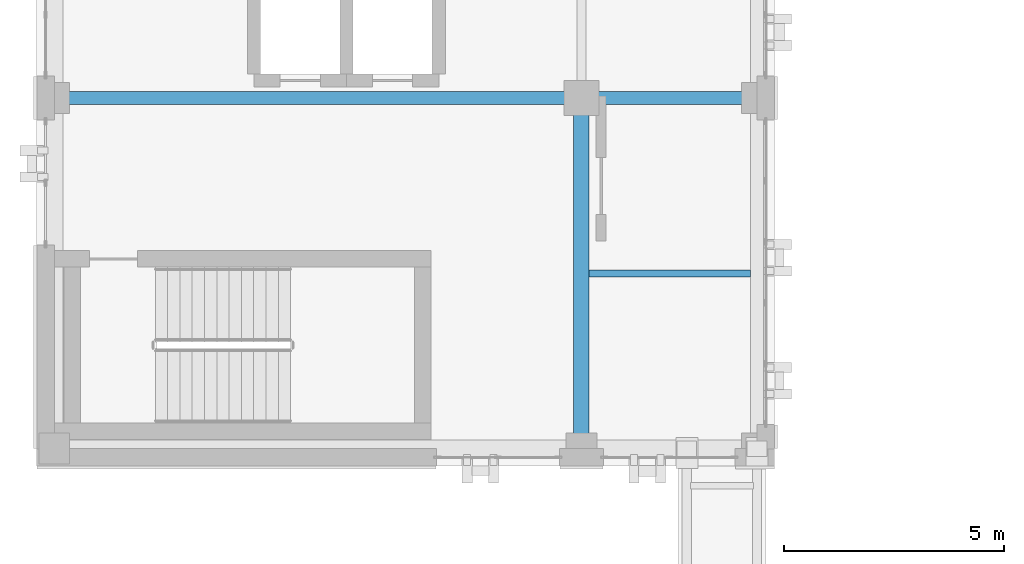
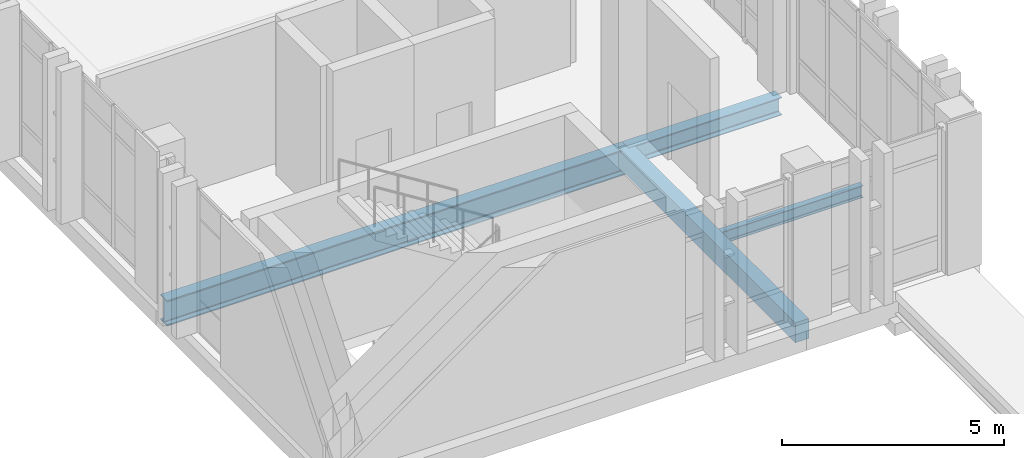
# One storey, part 31 of 158: 4 beams.
"""IFC4 building model written with IfcOpenShell, lengths in metres."""

import ifcopenshell
import ifcopenshell.guid

model = None  # the IFC model being written
_history = None  # IfcOwnerHistory: only IFC2X3 demands one
_inside = {}  # id of a spatial element -> (the spatial element, [elements in it])
_under = {}  # id of a project, library or spatial element -> (it, [spatial elements below it])
_declared = {}  # id of a project -> (the project, [libraries it declares])
_typed = {}  # id of a type object -> (the type object, [elements of that type])
_made_of = {}  # id of a material, layer set ... -> (it, [elements and type objects made of it])


def new_model(schema):
    """Start an empty IFC model of exactly this schema.

    Asked for "IFC4X3", IfcOpenShell would pick the latest addendum, in which some entities
    have other attributes; the version numbers below select the first issue.
    IFC2X3 requires an IfcOwnerHistory on every rooted entity: one is made here for all.
    """
    global model, _history
    if schema == "IFC4X3":
        model = ifcopenshell.file(schema_version=(4, 3, 0, 0))
    else:
        model = ifcopenshell.file(schema=schema)
    _inside.clear()
    _under.clear()
    _declared.clear()
    _typed.clear()
    _made_of.clear()
    _history = None
    if model.schema == "IFC2X3":
        org = make("IfcOrganization", Name="unknown")
        user = make(
            "IfcPersonAndOrganization",
            ThePerson=make("IfcPerson", FamilyName="unknown"),
            TheOrganization=org,
        )
        app = make(
            "IfcApplication",
            ApplicationDeveloper=org,
            Version="unknown",
            ApplicationFullName="unknown",
            ApplicationIdentifier="unknown",
        )
        _history = make(
            "IfcOwnerHistory",
            OwningUser=user,
            OwningApplication=app,
            ChangeAction="ADDED",
            CreationDate=0,
        )
    return model


def make(cls, **values):
    """One entity of the class cls with the attributes given. An attribute that is None is left unset."""
    return model.create_entity(
        cls, **{name: value for name, value in values.items() if value is not None}
    )


def rooted(cls, **values):
    """An entity with a GlobalId (a new one), such as an element, a storey or a relation."""
    return make(cls, GlobalId=ifcopenshell.guid.new(), OwnerHistory=_history, **values)


def si_unit(unit_type, name, prefix=None):
    """IfcSIUnit, for example si_unit("LENGTHUNIT", "METRE", prefix="MILLI")."""
    return make("IfcSIUnit", UnitType=unit_type, Prefix=prefix, Name=name)


def assignment(units):
    """IfcUnitAssignment: the units of a project."""
    return None if units is None else make("IfcUnitAssignment", Units=units)


def point(xyz):
    """IfcCartesianPoint."""
    return None if xyz is None else make("IfcCartesianPoint", Coordinates=xyz)


def direction(xyz):
    """IfcDirection."""
    return None if xyz is None else make("IfcDirection", DirectionRatios=xyz)


def frame(location, z_axis=None, x_axis=None):
    """IfcAxis2Placement3D, a coordinate frame: its origin and axes. An axis left out is left unset."""
    return make(
        "IfcAxis2Placement3D",
        Location=point(location),
        Axis=direction(z_axis),
        RefDirection=direction(x_axis),
    )


def frame_2d(location, x_axis=None):
    """IfcAxis2Placement2D, a coordinate frame in the plane: its origin and x axis."""
    return make(
        "IfcAxis2Placement2D", Location=point(location), RefDirection=direction(x_axis)
    )


def origin():
    """The frame at (0, 0, 0) with its axes left unset."""
    return frame((0.0, 0.0, 0.0))


def origin_2d():
    """The frame at (0, 0) in the plane with its x axis left unset."""
    return frame_2d((0.0, 0.0))


def place(relative_to, where):
    """IfcLocalPlacement: puts the frame where relative to a parent placement (None: the world)."""
    return make(
        "IfcLocalPlacement", PlacementRelTo=relative_to, RelativePlacement=where
    )


def context(
    kind, dimensions, precision=None, world=None, true_north=None, identifier=None
):
    """IfcGeometricRepresentationContext, for example the 3D "Model" context."""
    return make(
        "IfcGeometricRepresentationContext",
        ContextIdentifier=identifier,
        ContextType=kind,
        CoordinateSpaceDimension=dimensions,
        Precision=precision,
        WorldCoordinateSystem=world,
        TrueNorth=true_north,
    )


def subcontext(parent, identifier, kind, view, scale=None):
    """IfcGeometricRepresentationSubContext, for example "Body" below "Model"."""
    return make(
        "IfcGeometricRepresentationSubContext",
        ContextIdentifier=identifier,
        ContextType=kind,
        ParentContext=parent,
        TargetScale=scale,
        TargetView=view,
    )


def project(units=None, contexts=None):
    """IfcProject with its units and contexts."""
    return rooted(
        "IfcProject",
        Name="project",
        RepresentationContexts=contexts,
        UnitsInContext=assignment(units),
    )


def spatial(cls, under=None, at=None, **own):
    """A site, building, storey or space (cls), placed at a placement, below another one or the project."""
    s = rooted(cls, ObjectPlacement=at, **own)
    if under is not None:
        _under.setdefault(under.id(), (under, []))[1].append(s)
    return s


def profile(cls, at=None, kind="AREA", **sizes):
    """A parametric profile (cls). Its sizes go by their IFC names, for example OverallWidth=200.0."""
    return make(cls, ProfileType=kind, Position=at, **sizes)


def rectangle(**sizes):
    """IfcRectangleProfileDef."""
    return profile("IfcRectangleProfileDef", **sizes)


def i_section(**sizes):
    """IfcIShapeProfileDef."""
    return profile("IfcIShapeProfileDef", **sizes)


def extrude(swept, where, along, depth):
    """IfcExtrudedAreaSolid: the profile swept, set in the frame where, extruded along a direction by depth."""
    return make(
        "IfcExtrudedAreaSolid",
        SweptArea=swept,
        Position=where,
        ExtrudedDirection=direction(along),
        Depth=depth,
    )


def shape(context_of_items, identifier, shape_type, items):
    """IfcShapeRepresentation: the items that make up one representation, for example the "Body"."""
    return make(
        "IfcShapeRepresentation",
        ContextOfItems=context_of_items,
        RepresentationIdentifier=identifier,
        RepresentationType=shape_type,
        Items=items,
    )


def material(Name=None, Category=None):
    """IfcMaterial."""
    return make("IfcMaterial", Name=Name, Category=Category)


def material_profile(
    of_material, cross_section, Name=None, Category=None, Priority=None
):
    """IfcMaterialProfile: a cross section and its material."""
    return make(
        "IfcMaterialProfile",
        Name=Name,
        Material=of_material,
        Profile=cross_section,
        Priority=Priority,
        Category=Category,
    )


def profile_set(profiles, Name=None, composite=None):
    """IfcMaterialProfileSet."""
    return make(
        "IfcMaterialProfileSet",
        Name=Name,
        MaterialProfiles=profiles,
        CompositeProfile=composite,
    )


def made_of(thing, what):
    """Note that an element or type object is made of a material, layer set ...; save() writes the relation."""
    if what is not None:
        _made_of.setdefault(what.id(), (what, []))[1].append(thing)
    return thing


def type_object(cls, material=None, **own):
    """A type object (cls), such as IfcWallType, which elements share."""
    return made_of(rooted(cls, **own), material)


def element(
    cls,
    number,
    at=None,
    inside=None,
    cuts=None,
    type_object=None,
    material=None,
    context=None,
    identifier="Body",
    shape_type=None,
    held_by="IfcProductDefinitionShape",
    body=None,
    shapes=None,
    **own,
):
    """One element of the class cls, such as IfcWall. Its Tag is "e" and its number.

    at: its placement. inside: the storey or other place that contains it. cuts: it is an
    opening in that element (IfcRelVoidsElement). A single representation is given by context,
    identifier, shape_type and body (its items); several are given by shapes. held_by: the class
    of the entity that holds the representations. save() writes the other relations.
    """
    e = rooted(cls, Tag="e%d" % number, ObjectPlacement=at, **own)
    if body is not None:
        shapes = [shape(context, identifier, shape_type, body)]
    if shapes is not None:
        e.Representation = make(held_by, Representations=shapes)
    if inside is not None:
        _inside.setdefault(inside.id(), (inside, []))[1].append(e)
    if cuts is not None:
        rooted(
            "IfcRelVoidsElement", RelatingBuildingElement=cuts, RelatedOpeningElement=e
        )
    if type_object is not None:
        _typed.setdefault(type_object.id(), (type_object, []))[1].append(e)
    return made_of(e, material)


def aggregate(whole, parts):
    """IfcRelAggregates: a whole, such as a stair, and the parts it consists of."""
    return rooted("IfcRelAggregates", RelatingObject=whole, RelatedObjects=parts)


def save(model, path):
    """Write the relations noted so far, then the file.

    IfcRelAggregates (storeys below a building ...), IfcRelContainedInSpatialStructure (elements
    in a storey), IfcRelDefinesByType, IfcRelAssociatesMaterial and IfcRelDeclares: one each for
    every whole, place, type object, material and project.
    """
    for whole, parts in _under.values():
        aggregate(whole, parts)
    for where, things in _inside.values():
        rooted(
            "IfcRelContainedInSpatialStructure",
            RelatedElements=things,
            RelatingStructure=where,
        )
    for kind, things in _typed.values():
        rooted("IfcRelDefinesByType", RelatedObjects=things, RelatingType=kind)
    for what, things in _made_of.values():
        rooted("IfcRelAssociatesMaterial", RelatedObjects=things, RelatingMaterial=what)
    for by, libraries in _declared.values():
        rooted("IfcRelDeclares", RelatingContext=by, RelatedDefinitions=libraries)
    model.write(path)


model = new_model("IFC4")

# Units and contexts
model_context = context("Model", 3, precision=1e-05, world=origin(), true_north=direction((0.0, 1.0)))
body_context = subcontext(model_context, "Body", "Model", "MODEL_VIEW")
ifc_project = project(units=[si_unit("LENGTHUNIT", "METRE"), si_unit("AREAUNIT", "SQUARE_METRE"), si_unit("VOLUMEUNIT", "CUBIC_METRE"), si_unit("PLANEANGLEUNIT", "RADIAN"), si_unit("MASSUNIT", "GRAM", prefix="KILO")], contexts=[model_context])

# Site, building, storey
site_placement = place(None, origin())
site = spatial("IfcSite", under=ifc_project, at=site_placement, CompositionType="ELEMENT")
building_placement = place(site_placement, origin())
building = spatial("IfcBuilding", under=site, at=building_placement, Name="Qalavern Law Courts", CompositionType="ELEMENT")
storey_placement = place(building_placement, frame((0.0, 0.0, 18.60009765625)))
storey = spatial("IfcBuildingStorey", under=building, at=storey_placement, Name="L04", CompositionType="ELEMENT", Elevation=18.60009765625)

# Beams
ifc_material_1 = material(Name="Steel S355", Category="steel")
ifc_material_profile_1 = material_profile(ifc_material_1, i_section(OverallWidth=0.300048828125, OverallDepth=0.489990234375, WebThickness=0.011962890625, FlangeThickness=0.02294921875, FilletRadius=0.027099609375, at=origin_2d()), Name="HEA 500")
ifc_profile_set_1 = profile_set([ifc_material_profile_1], Name="Steel S355")
beam_type_1 = type_object("IfcBeamType", Name="STR-BM-HEA500", PredefinedType="BEAM", material=ifc_profile_set_1)
beam_1_placement = place(storey_placement, frame((14.39990234375, 49.39990234375, -0.525146484375), z_axis=(1.0, 0.0, 0.0), x_axis=(0.0, 1.0, 0.0)))
element("IfcBeam", 1, at=beam_1_placement, inside=storey, type_object=beam_type_1, Name="V3 X-beam 2-2 L04", PredefinedType="BEAM", context=body_context, shape_type="SweptSolid", body=[
    extrude(i_section(OverallWidth=0.300048828125, OverallDepth=0.489990234375, WebThickness=0.011962890625, FlangeThickness=0.02294921875, FilletRadius=0.027099609375, at=origin_2d()), origin(), (0.0, 0.0, 1.0), 4.0),
])
ifc_material_profile_2 = material_profile(ifc_material_1, i_section(OverallWidth=0.300048828125, OverallDepth=0.699951171875, WebThickness=0.01708984375, FlangeThickness=0.031982421875, FilletRadius=0.027099609375, at=origin_2d()), Name="HEB 700")
ifc_profile_set_2 = profile_set([ifc_material_profile_2], Name="Steel S355")
beam_type_2 = type_object("IfcBeamType", Name="STR-BM-HEB700", PredefinedType="BEAM", material=ifc_profile_set_2)
beam_2_placement = place(storey_placement, frame((2.39990234375, 49.39990234375, -0.630126953125), z_axis=(1.0, 0.0, 0.0), x_axis=(0.0, 1.0, 0.0)))
element("IfcBeam", 2, at=beam_2_placement, inside=storey, type_object=beam_type_2, Name="V3 X-beam 2-1 L04", PredefinedType="BEAM", context=body_context, shape_type="SweptSolid", body=[
    extrude(i_section(OverallWidth=0.300048828125, OverallDepth=0.699951171875, WebThickness=0.01708984375, FlangeThickness=0.031982421875, FilletRadius=0.027099609375, at=origin_2d()), origin(), (0.0, 0.0, 1.0), 12.0),
])
ifc_material_2 = material(Name="Concrete C35/45", Category="concrete")
ifc_material_profile_3 = material_profile(ifc_material_2, rectangle(XDim=0.35009765625, YDim=0.550048828125, at=origin_2d()), Name="RC 350x550")
ifc_profile_set_3 = profile_set([ifc_material_profile_3], Name="Concrete C35/45")
beam_type_3 = type_object("IfcBeamType", Name="STR-BM-RC350x550", PredefinedType="BEAM", material=ifc_profile_set_3)
beam_3_placement = place(storey_placement, frame((14.39990234375, 41.419921875, -0.55517578125), z_axis=(0.0, 1.0, 0.0), x_axis=(-1.0, 0.0, 0.0)))
element("IfcBeam", 3, at=beam_3_placement, inside=storey, type_object=beam_type_3, Name="V3 Y-beam 2-1 L04", PredefinedType="BEAM", context=body_context, shape_type="SweptSolid", body=[
    extrude(rectangle(XDim=0.35009765625, YDim=0.550048828125, at=origin_2d()), origin(), (0.0, 0.0, 1.0), 7.97998046875),
])
ifc_material_profile_4 = material_profile(ifc_material_1, i_section(OverallWidth=0.159912109375, OverallDepth=0.330078125, WebThickness=0.007568359375, FlangeThickness=0.011474609375, FilletRadius=0.01806640625, at=origin_2d()), Name="IPE 330")
ifc_profile_set_4 = profile_set([ifc_material_profile_4], Name="Steel S355")
beam_type_4 = type_object("IfcBeamType", Name="STR-JST-IPE330", PredefinedType="JOIST", material=ifc_profile_set_4)
beam_4_placement = place(storey_placement, frame((14.572998046875, 45.409912109375, -0.445068359375), z_axis=(1.0, 0.0, 0.0), x_axis=(0.0, 1.0, 0.0)))
element("IfcBeam", 4, at=beam_4_placement, inside=storey, type_object=beam_type_4, Name="V3 secondary joist 2.1.1 L04", PredefinedType="JOIST", context=body_context, shape_type="SweptSolid", body=[
    extrude(i_section(OverallWidth=0.159912109375, OverallDepth=0.330078125, WebThickness=0.007568359375, FlangeThickness=0.011474609375, FilletRadius=0.01806640625, at=origin_2d()), origin(), (0.0, 0.0, 1.0), 3.678955078125),
])

save(model, "model.ifc")
